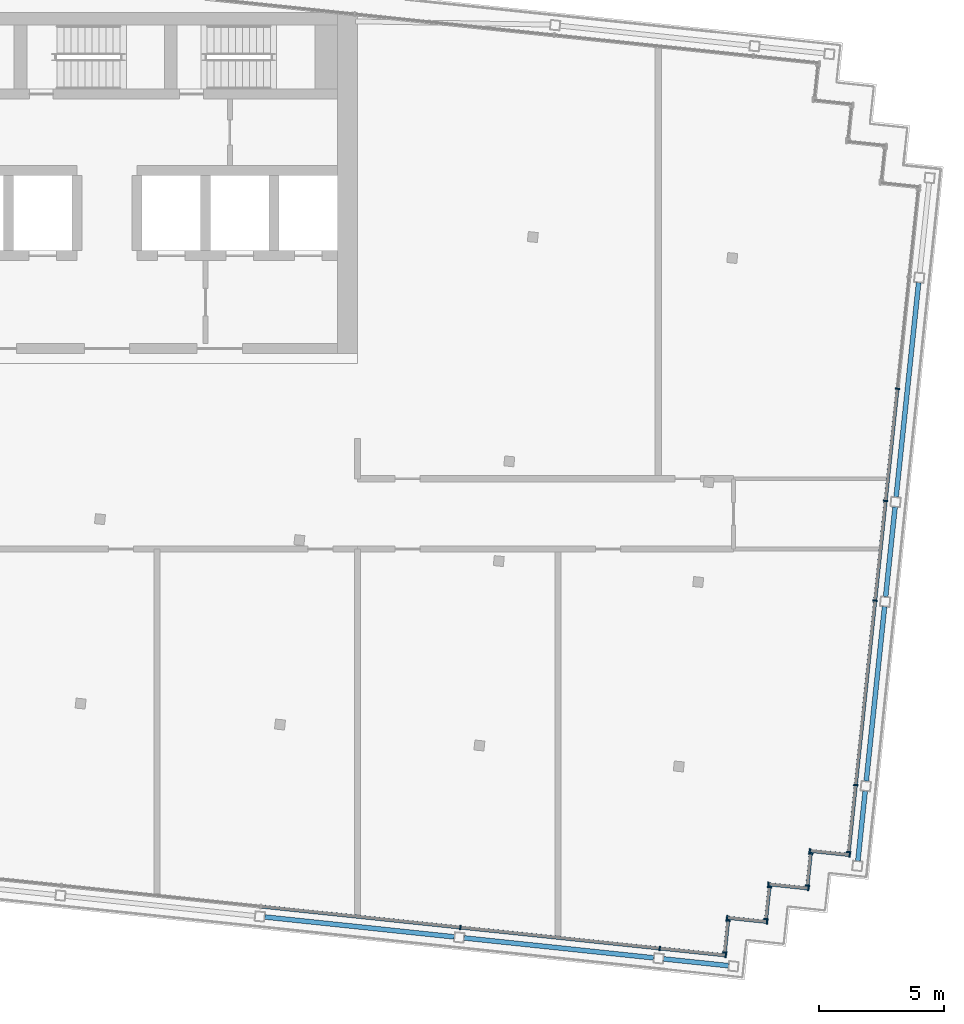
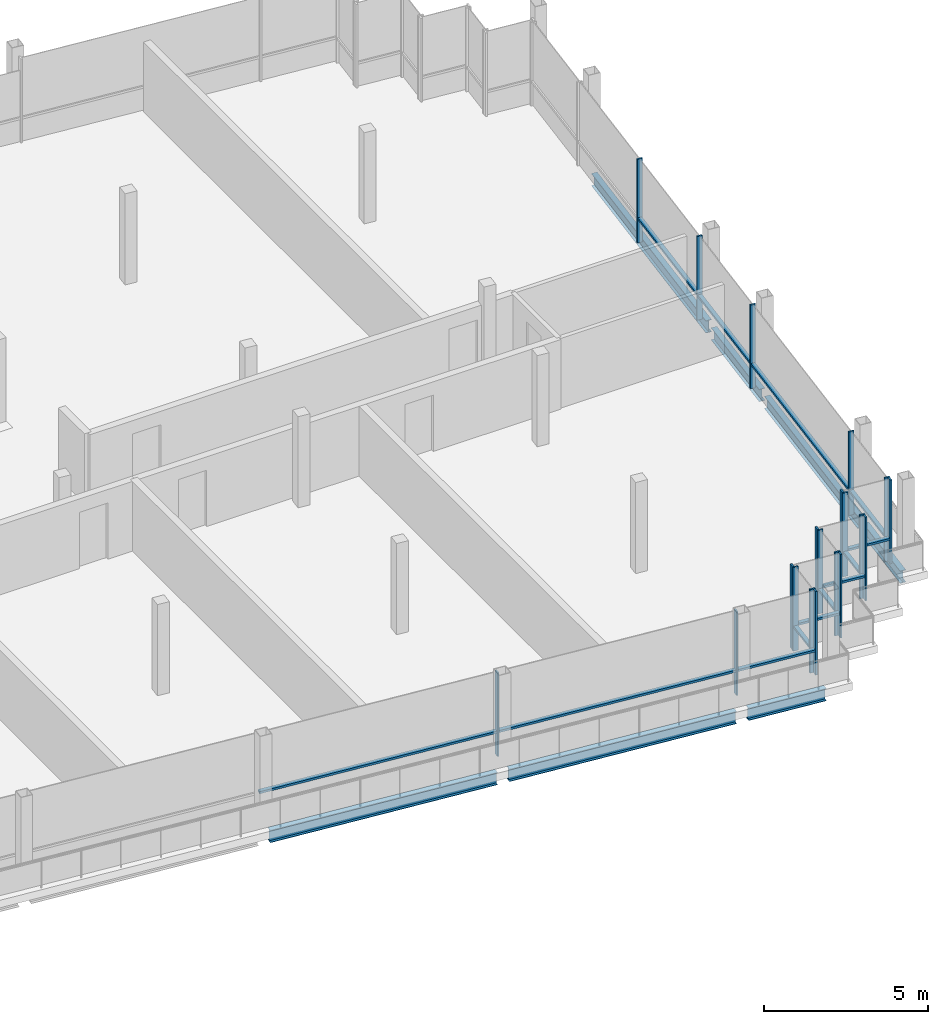
# One storey, part 5 of 15: 33 members, 7 beams, 8 elements without a shape of their own.
"""IFC4 building model written with IfcOpenShell, lengths in metres."""

from ifc_helpers import new_model, si_unit, direction, frame, origin, origin_2d, place, context, subcontext, project, spatial, rectangle, i_section, extrude, material, material_profile, profile_set, type_object, element, aggregate, save


model = new_model("IFC4")

# Units and contexts
model_context = context("Model", 3, precision=1e-05, world=origin(), true_north=direction((0.0, 1.0)))
body_context = subcontext(model_context, "Body", "Model", "MODEL_VIEW")
ifc_project = project(units=[si_unit("LENGTHUNIT", "METRE"), si_unit("AREAUNIT", "SQUARE_METRE"), si_unit("VOLUMEUNIT", "CUBIC_METRE"), si_unit("PLANEANGLEUNIT", "RADIAN"), si_unit("MASSUNIT", "GRAM", prefix="KILO")], contexts=[model_context])

# Site, building, storey
site_placement = place(None, origin())
site = spatial("IfcSite", under=ifc_project, at=site_placement, CompositionType="ELEMENT")
building_placement = place(site_placement, origin())
building = spatial("IfcBuilding", under=site, at=building_placement, Name="Vidyagriha Tower", CompositionType="ELEMENT")
storey_placement = place(building_placement, frame((0.0, 0.0, 291.5)))
storey = spatial("IfcBuildingStorey", under=building, at=storey_placement, Name="L75", CompositionType="ELEMENT", Elevation=291.5)

# Beams
ifc_material_1 = material(Name="Steel ASTM A992 Grade 50", Category="steel")
ifc_material_profile_1 = material_profile(ifc_material_1, i_section(OverallWidth=0.19189453125, OverallDepth=0.46240234375, WebThickness=0.010498046875, FlangeThickness=0.017578125, at=origin_2d()), Name="W18X60")
ifc_profile_set_1 = profile_set([ifc_material_profile_1], Name="Steel ASTM A992 Grade 50")
beam_type = type_object("IfcBeamType", Name="Edge beam W18X60", PredefinedType="SPANDREL", material=ifc_profile_set_1)
beam_1_placement = place(storey_placement, frame((6.299072265625, -16.085693359375, -0.51123046875), z_axis=(0.994521634953, -0.104530940926, 0.0), x_axis=(0.104530940926, 0.994521634953, 0.0)))
element("IfcBeam", 1, at=beam_1_placement, inside=storey, type_object=beam_type, Name="st-beam-L75-S05", PredefinedType="SPANDREL", context=body_context, shape_type="SweptSolid", body=[
    extrude(i_section(OverallWidth=0.19189453125, OverallDepth=0.46240234375, WebThickness=0.010498046875, FlangeThickness=0.017578125, at=origin_2d()), origin(), (0.0, 0.0, 1.0), 7.60009765625),
])
beam_2_placement = place(storey_placement, frame((14.255126953125, -16.922119140625, -0.51123046875), z_axis=(0.994524973995, -0.104499167945, 0.0), x_axis=(0.104499167945, 0.994524973995, 0.0)))
element("IfcBeam", 2, at=beam_2_placement, inside=storey, type_object=beam_type, Name="st-beam-L75-S06", PredefinedType="SPANDREL", context=body_context, shape_type="SweptSolid", body=[
    extrude(i_section(OverallWidth=0.19189453125, OverallDepth=0.46240234375, WebThickness=0.010498046875, FlangeThickness=0.017578125, at=origin_2d()), origin(), (0.0, 0.0, 1.0), 7.599853515625),
])
beam_3_placement = place(storey_placement, frame((22.211181640625, -17.75830078125, -0.51123046875), z_axis=(0.994524472508, -0.104503940512, 0.0), x_axis=(0.104503940512, 0.994524472508, 0.0)))
element("IfcBeam", 3, at=beam_3_placement, inside=storey, type_object=beam_type, Name="st-beam-L75-S07", PredefinedType="SPANDREL", context=body_context, shape_type="SweptSolid", body=[
    extrude(i_section(OverallWidth=0.19189453125, OverallDepth=0.46240234375, WebThickness=0.010498046875, FlangeThickness=0.017578125, at=origin_2d()), origin(), (0.0, 0.0, 1.0), 2.60009765625),
])
beam_4_placement = place(storey_placement, frame((29.962646484375, -13.846923828125, -0.51123046875), z_axis=(0.104553147, 0.994519300694, 0.0), x_axis=(-0.994519300694, 0.104553147, 0.0)))
element("IfcBeam", 4, at=beam_4_placement, inside=storey, type_object=beam_type, Name="st-beam-L75-E13", PredefinedType="SPANDREL", context=body_context, shape_type="SweptSolid", body=[
    extrude(i_section(OverallWidth=0.19189453125, OverallDepth=0.46240234375, WebThickness=0.010498046875, FlangeThickness=0.017578125, at=origin_2d()), origin(), (0.0, 0.0, 1.0), 2.7998046875),
])
beam_5_placement = place(storey_placement, frame((30.297119140625, -10.66455078125, -0.51123046875), z_axis=(0.104526832686, 0.994522066748, 0.0), x_axis=(-0.994522066748, 0.104526832686, 0.0)))
element("IfcBeam", 5, at=beam_5_placement, inside=storey, type_object=beam_type, Name="st-beam-L75-E14", PredefinedType="SPANDREL", context=body_context, shape_type="SweptSolid", body=[
    extrude(i_section(OverallWidth=0.19189453125, OverallDepth=0.46240234375, WebThickness=0.010498046875, FlangeThickness=0.017578125, at=origin_2d()), origin(), (0.0, 0.0, 1.0), 7.0),
])
beam_6_placement = place(storey_placement, frame((31.070556640625, -3.30517578125, -0.51123046875), z_axis=(0.104571819597, 0.994517337479, 0.0), x_axis=(-0.994517337479, 0.104571819597, 0.0)))
element("IfcBeam", 6, at=beam_6_placement, inside=storey, type_object=beam_type, Name="st-beam-L75-E15", PredefinedType="SPANDREL", context=body_context, shape_type="SweptSolid", body=[
    extrude(i_section(OverallWidth=0.19189453125, OverallDepth=0.46240234375, WebThickness=0.010498046875, FlangeThickness=0.017578125, at=origin_2d()), origin(), (0.0, 0.0, 1.0), 3.60009765625),
])
beam_7_placement = place(storey_placement, frame((31.48876953125, 0.673095703125, -0.51123046875), z_axis=(0.104528138401, 0.994521929513, 0.0), x_axis=(-0.994521929513, 0.104528138401, 0.0)))
element("IfcBeam", 7, at=beam_7_placement, inside=storey, type_object=beam_type, Name="st-beam-L75-E16", PredefinedType="SPANDREL", context=body_context, shape_type="SweptSolid", body=[
    extrude(i_section(OverallWidth=0.19189453125, OverallDepth=0.46240234375, WebThickness=0.010498046875, FlangeThickness=0.017578125, at=origin_2d()), origin(), (0.0, 0.0, 1.0), 8.599853515625),
])

# Curtain wall, members
ifc_material_2 = material(Name="Aluminium and glass curtain wall", Category="aluminium")
curtain_wall_type = type_object("IfcCurtainWallType", Name="Lantern glazing wall", PredefinedType="USERDEFINED", material=ifc_material_2)
curtain_wall_1_placement = place(storey_placement, origin())
curtain_wall_1 = element("IfcCurtainWall", 8, at=curtain_wall_1_placement, inside=storey, type_object=curtain_wall_type, Name="CW4 lantern glazing", ObjectType="STICK GLAZING", PredefinedType="USERDEFINED")
ifc_material_3 = material(Name="Aluminium black anodised", Category="aluminium")
ifc_material_profile_2 = material_profile(ifc_material_3, rectangle(XDim=0.179931640625, YDim=0.06005859375, at=origin_2d()), Name="Mullion 60x180 black aluminium")
ifc_profile_set_2 = profile_set([ifc_material_profile_2], Name="Aluminium black anodised")
member_type_1 = type_object("IfcMemberType", Name="Mullion 60x180 black aluminium", PredefinedType="MULLION", material=ifc_profile_set_2)
member_1_placement = place(storey_placement, frame((14.09814453125, -16.503173828125, 0.0), z_axis=(0.0, 0.0, 1.0), x_axis=(0.104528251556, 0.99452191762, 0.0)))
member_1 = element("IfcMember", 9, at=member_1_placement, type_object=member_type_1, Name="CW4 mullion 6", PredefinedType="MULLION", context=body_context, shape_type="SweptSolid", body=[
    extrude(rectangle(XDim=0.179931640625, YDim=0.06005859375, at=origin_2d()), origin(), (0.0, 0.0, 1.0), 3.1201171875),
])
member_2_placement = place(storey_placement, frame((22.05419921875, -17.33935546875, 0.0), z_axis=(0.0, 0.0, 1.0), x_axis=(0.104528251556, 0.99452191762, 0.0)))
member_2 = element("IfcMember", 10, at=member_2_placement, type_object=member_type_1, Name="CW4 mullion 7", PredefinedType="MULLION", context=body_context, shape_type="SweptSolid", body=[
    extrude(rectangle(XDim=0.179931640625, YDim=0.06005859375, at=origin_2d()), origin(), (0.0, 0.0, 1.0), 3.1201171875),
])
member_3_placement = place(storey_placement, frame((24.689697265625, -17.616455078125, 0.0), z_axis=(0.0, 0.0, 1.0), x_axis=(0.104528251556, 0.99452191762, 0.0)))
member_3 = element("IfcMember", 11, at=member_3_placement, type_object=member_type_1, Name="CW4 mullion 8", PredefinedType="MULLION", context=body_context, shape_type="SweptSolid", body=[
    extrude(rectangle(XDim=0.179931640625, YDim=0.06005859375, at=origin_2d()), origin(), (0.0, 0.0, 1.0), 3.1201171875),
])

curtain_wall_2_placement = place(storey_placement, origin())
curtain_wall_2 = element("IfcCurtainWall", 12, at=curtain_wall_2_placement, inside=storey, type_object=curtain_wall_type, Name="CW4 lantern glazing", ObjectType="STICK GLAZING", PredefinedType="USERDEFINED")
member_4_placement = place(storey_placement, frame((24.651611328125, -17.501953125, 0.0), z_axis=(0.0, 0.0, 1.0), x_axis=(-0.994518939392, 0.104556583677, 0.0)))
member_4 = element("IfcMember", 13, at=member_4_placement, type_object=member_type_1, Name="CW4 mullion 1", PredefinedType="MULLION", context=body_context, shape_type="SweptSolid", body=[
    extrude(rectangle(XDim=0.179931640625, YDim=0.06005859375, at=origin_2d()), origin(), (0.0, 0.0, 1.0), 3.1201171875),
])
member_5_placement = place(storey_placement, frame((24.785400390625, -16.22900390625, 0.0), z_axis=(0.0, 0.0, 1.0), x_axis=(-0.994518939392, 0.104556583677, 0.0)))
member_5 = element("IfcMember", 14, at=member_5_placement, type_object=member_type_1, Name="CW4 mullion 2", PredefinedType="MULLION", context=body_context, shape_type="SweptSolid", body=[
    extrude(rectangle(XDim=0.179931640625, YDim=0.06005859375, at=origin_2d()), origin(), (0.0, 0.0, 1.0), 3.1201171875),
])

curtain_wall_3_placement = place(storey_placement, origin())
curtain_wall_3 = element("IfcCurtainWall", 15, at=curtain_wall_3_placement, inside=storey, type_object=curtain_wall_type, Name="CW4 lantern glazing", ObjectType="STICK GLAZING", PredefinedType="USERDEFINED")
member_6_placement = place(storey_placement, frame((24.7470703125, -16.1142578125, 0.0), z_axis=(0.0, 0.0, 1.0), x_axis=(0.104518583201, 0.994522933756, 0.0)))
member_6 = element("IfcMember", 16, at=member_6_placement, type_object=member_type_1, Name="CW4 mullion 1", PredefinedType="MULLION", context=body_context, shape_type="SweptSolid", body=[
    extrude(rectangle(XDim=0.179931640625, YDim=0.06005859375, at=origin_2d()), origin(), (0.0, 0.0, 1.0), 3.1201171875),
])
member_7_placement = place(storey_placement, frame((26.33837890625, -16.281494140625, 0.0), z_axis=(0.0, 0.0, 1.0), x_axis=(0.104518583201, 0.994522933756, 0.0)))
member_7 = element("IfcMember", 17, at=member_7_placement, type_object=member_type_1, Name="CW4 mullion 2", PredefinedType="MULLION", context=body_context, shape_type="SweptSolid", body=[
    extrude(rectangle(XDim=0.179931640625, YDim=0.06005859375, at=origin_2d()), origin(), (0.0, 0.0, 1.0), 3.1201171875),
])

curtain_wall_4_placement = place(storey_placement, origin())
curtain_wall_4 = element("IfcCurtainWall", 18, at=curtain_wall_4_placement, inside=storey, type_object=curtain_wall_type, Name="CW4 lantern glazing", ObjectType="STICK GLAZING", PredefinedType="USERDEFINED")
member_8_placement = place(storey_placement, frame((26.300048828125, -16.1669921875, 0.0), z_axis=(0.0, 0.0, 1.0), x_axis=(-0.994519755162, 0.104548823962, 0.0)))
member_8 = element("IfcMember", 19, at=member_8_placement, type_object=member_type_1, Name="CW4 mullion 1", PredefinedType="MULLION", context=body_context, shape_type="SweptSolid", body=[
    extrude(rectangle(XDim=0.179931640625, YDim=0.06005859375, at=origin_2d()), origin(), (0.0, 0.0, 1.0), 3.1201171875),
])
member_9_placement = place(storey_placement, frame((26.43408203125, -14.89404296875, 0.0), z_axis=(0.0, 0.0, 1.0), x_axis=(-0.994519755162, 0.104548823962, 0.0)))
member_9 = element("IfcMember", 20, at=member_9_placement, type_object=member_type_1, Name="CW4 mullion 2", PredefinedType="MULLION", context=body_context, shape_type="SweptSolid", body=[
    extrude(rectangle(XDim=0.179931640625, YDim=0.06005859375, at=origin_2d()), origin(), (0.0, 0.0, 1.0), 3.1201171875),
])

curtain_wall_5_placement = place(storey_placement, origin())
curtain_wall_5 = element("IfcCurtainWall", 21, at=curtain_wall_5_placement, inside=storey, type_object=curtain_wall_type, Name="CW4 lantern glazing", ObjectType="STICK GLAZING", PredefinedType="USERDEFINED")
member_10_placement = place(storey_placement, frame((26.395751953125, -14.779296875, 0.0), z_axis=(0.0, 0.0, 1.0), x_axis=(0.104518583201, 0.994522933756, 0.0)))
member_10 = element("IfcMember", 22, at=member_10_placement, type_object=member_type_1, Name="CW4 mullion 1", PredefinedType="MULLION", context=body_context, shape_type="SweptSolid", body=[
    extrude(rectangle(XDim=0.179931640625, YDim=0.06005859375, at=origin_2d()), origin(), (0.0, 0.0, 1.0), 3.1201171875),
])
member_11_placement = place(storey_placement, frame((27.98681640625, -14.946533203125, 0.0), z_axis=(0.0, 0.0, 1.0), x_axis=(0.104518583201, 0.994522933756, 0.0)))
member_11 = element("IfcMember", 23, at=member_11_placement, type_object=member_type_1, Name="CW4 mullion 2", PredefinedType="MULLION", context=body_context, shape_type="SweptSolid", body=[
    extrude(rectangle(XDim=0.179931640625, YDim=0.06005859375, at=origin_2d()), origin(), (0.0, 0.0, 1.0), 3.1201171875),
])

curtain_wall_6_placement = place(storey_placement, origin())
curtain_wall_6 = element("IfcCurtainWall", 24, at=curtain_wall_6_placement, inside=storey, type_object=curtain_wall_type, Name="CW4 lantern glazing", ObjectType="STICK GLAZING", PredefinedType="USERDEFINED")
member_12_placement = place(storey_placement, frame((27.94873046875, -14.83203125, 0.0), z_axis=(0.0, 0.0, 1.0), x_axis=(-0.994519755162, 0.104548823962, 0.0)))
member_12 = element("IfcMember", 25, at=member_12_placement, type_object=member_type_1, Name="CW4 mullion 1", PredefinedType="MULLION", context=body_context, shape_type="SweptSolid", body=[
    extrude(rectangle(XDim=0.179931640625, YDim=0.06005859375, at=origin_2d()), origin(), (0.0, 0.0, 1.0), 3.1201171875),
])
member_13_placement = place(storey_placement, frame((28.08251953125, -13.558837890625, 0.0), z_axis=(0.0, 0.0, 1.0), x_axis=(-0.994519755162, 0.104548823962, 0.0)))
member_13 = element("IfcMember", 26, at=member_13_placement, type_object=member_type_1, Name="CW4 mullion 2", PredefinedType="MULLION", context=body_context, shape_type="SweptSolid", body=[
    extrude(rectangle(XDim=0.179931640625, YDim=0.06005859375, at=origin_2d()), origin(), (0.0, 0.0, 1.0), 3.1201171875),
])

curtain_wall_7_placement = place(storey_placement, origin())
curtain_wall_7 = element("IfcCurtainWall", 27, at=curtain_wall_7_placement, inside=storey, type_object=curtain_wall_type, Name="CW4 lantern glazing", ObjectType="STICK GLAZING", PredefinedType="USERDEFINED")
member_14_placement = place(storey_placement, frame((28.044189453125, -13.4443359375, 0.0), z_axis=(0.0, 0.0, 1.0), x_axis=(0.104512321721, 0.994523591781, 0.0)))
member_14 = element("IfcMember", 28, at=member_14_placement, type_object=member_type_1, Name="CW4 mullion 1", PredefinedType="MULLION", context=body_context, shape_type="SweptSolid", body=[
    extrude(rectangle(XDim=0.179931640625, YDim=0.06005859375, at=origin_2d()), origin(), (0.0, 0.0, 1.0), 3.1201171875),
])
member_15_placement = place(storey_placement, frame((29.635498046875, -13.611572265625, 0.0), z_axis=(0.0, 0.0, 1.0), x_axis=(0.104512321721, 0.994523591781, 0.0)))
member_15 = element("IfcMember", 29, at=member_15_placement, type_object=member_type_1, Name="CW4 mullion 2", PredefinedType="MULLION", context=body_context, shape_type="SweptSolid", body=[
    extrude(rectangle(XDim=0.179931640625, YDim=0.06005859375, at=origin_2d()), origin(), (0.0, 0.0, 1.0), 3.1201171875),
])

curtain_wall_8_placement = place(storey_placement, origin())
curtain_wall_8 = element("IfcCurtainWall", 30, at=curtain_wall_8_placement, inside=storey, type_object=curtain_wall_type, Name="CW4 lantern glazing", ObjectType="STICK GLAZING", PredefinedType="USERDEFINED")
member_16_placement = place(storey_placement, frame((29.59716796875, -13.4970703125, 0.0), z_axis=(0.0, 0.0, 1.0), x_axis=(-0.994522059728, 0.104526899479, 0.0)))
member_16 = element("IfcMember", 31, at=member_16_placement, type_object=member_type_1, Name="CW4 mullion 1", PredefinedType="MULLION", context=body_context, shape_type="SweptSolid", body=[
    extrude(rectangle(XDim=0.179931640625, YDim=0.06005859375, at=origin_2d()), origin(), (0.0, 0.0, 1.0), 3.1201171875),
])
member_17_placement = place(storey_placement, frame((29.87841796875, -10.82177734375, 0.0), z_axis=(0.0, 0.0, 1.0), x_axis=(-0.994522059728, 0.104526899479, 0.0)))
member_17 = element("IfcMember", 32, at=member_17_placement, type_object=member_type_1, Name="CW4 mullion 2", PredefinedType="MULLION", context=body_context, shape_type="SweptSolid", body=[
    extrude(rectangle(XDim=0.179931640625, YDim=0.06005859375, at=origin_2d()), origin(), (0.0, 0.0, 1.0), 3.1201171875),
])
member_18_placement = place(storey_placement, frame((30.65185546875, -3.462158203125, 0.0), z_axis=(0.0, 0.0, 1.0), x_axis=(-0.994522059728, 0.104526899479, 0.0)))
member_18 = element("IfcMember", 33, at=member_18_placement, type_object=member_type_1, Name="CW4 mullion 3", PredefinedType="MULLION", context=body_context, shape_type="SweptSolid", body=[
    extrude(rectangle(XDim=0.179931640625, YDim=0.06005859375, at=origin_2d()), origin(), (0.0, 0.0, 1.0), 3.1201171875),
])
member_19_placement = place(storey_placement, frame((31.070068359375, 0.515869140625, 0.0), z_axis=(0.0, 0.0, 1.0), x_axis=(-0.994522059728, 0.104526899479, 0.0)))
member_19 = element("IfcMember", 34, at=member_19_placement, type_object=member_type_1, Name="CW4 mullion 4", PredefinedType="MULLION", context=body_context, shape_type="SweptSolid", body=[
    extrude(rectangle(XDim=0.179931640625, YDim=0.06005859375, at=origin_2d()), origin(), (0.0, 0.0, 1.0), 3.1201171875),
])
member_20_placement = place(storey_placement, frame((31.540283203125, 4.9912109375, 0.0), z_axis=(0.0, 0.0, 1.0), x_axis=(-0.994522059728, 0.104526899479, 0.0)))
member_20 = element("IfcMember", 35, at=member_20_placement, type_object=member_type_1, Name="CW4 mullion 5", PredefinedType="MULLION", context=body_context, shape_type="SweptSolid", body=[
    extrude(rectangle(XDim=0.179931640625, YDim=0.06005859375, at=origin_2d()), origin(), (0.0, 0.0, 1.0), 3.1201171875),
])

# Member
ifc_material_4 = material(Name="Aluminium black anodised", Category="aluminium")
ifc_material_profile_3 = material_profile(ifc_material_4, rectangle(XDim=0.139892578125, YDim=0.080078125, at=origin_2d()), Name="Transom 80x140 black aluminium")
ifc_profile_set_3 = profile_set([ifc_material_profile_3], Name="Aluminium black anodised")
member_type_2 = type_object("IfcMemberType", Name="Transom 80x140 black aluminium", PredefinedType="USERDEFINED", material=ifc_profile_set_3)
member_21_placement = place(storey_placement, frame((6.171630859375, -15.670166015625, 0.89990234375), z_axis=(0.994523801804, -0.104510323151, 0.0), x_axis=(0.104510323151, 0.994523801804, 0.0)))
member_21 = element("IfcMember", 36, at=member_21_placement, type_object=member_type_2, Name="CW4 transom 5.1", ObjectType="TRANSOM", PredefinedType="USERDEFINED", context=body_context, shape_type="SweptSolid", body=[
    extrude(rectangle(XDim=0.139892578125, YDim=0.080078125, at=origin_2d()), origin(), (0.0, 0.0, 1.0), 7.940185546875),
])

member_22_placement = place(storey_placement, frame((14.1279296875, -16.50634765625, 0.89990234375), z_axis=(0.994520269484, -0.10454393137, 0.0), x_axis=(0.10454393137, 0.994520269484, 0.0)))
member_22 = element("IfcMember", 37, at=member_22_placement, type_object=member_type_2, Name="CW4 transom 6.1", ObjectType="TRANSOM", PredefinedType="USERDEFINED", context=body_context, shape_type="SweptSolid", body=[
    extrude(rectangle(XDim=0.139892578125, YDim=0.080078125, at=origin_2d()), origin(), (0.0, 0.0, 1.0), 7.93994140625),
])

member_23_placement = place(storey_placement, frame((22.084228515625, -17.342529296875, 0.89990234375), z_axis=(0.994520422208, -0.104542478505, 0.0), x_axis=(0.104542478505, 0.994520422208, 0.0)))
member_23 = element("IfcMember", 38, at=member_23_placement, type_object=member_type_2, Name="CW4 transom 7.1", ObjectType="TRANSOM", PredefinedType="USERDEFINED", context=body_context, shape_type="SweptSolid", body=[
    extrude(rectangle(XDim=0.139892578125, YDim=0.080078125, at=origin_2d()), origin(), (0.0, 0.0, 1.0), 2.58984375),
])

aggregate(curtain_wall_1, [member_1, member_2, member_3, member_21, member_22, member_23])

member_24_placement = place(storey_placement, frame((24.65478515625, -17.471923828125, 0.89990234375), z_axis=(0.104476410646, 0.994527364942, 0.0), x_axis=(-0.994527364942, 0.104476410646, 0.0)))
member_24 = element("IfcMember", 39, at=member_24_placement, type_object=member_type_2, Name="CW4 transom 1.1", ObjectType="TRANSOM", PredefinedType="USERDEFINED", context=body_context, shape_type="SweptSolid", body=[
    extrude(rectangle(XDim=0.139892578125, YDim=0.080078125, at=origin_2d()), origin(), (0.0, 0.0, 1.0), 1.2197265625),
])

aggregate(curtain_wall_2, [member_4, member_5, member_24])

member_25_placement = place(storey_placement, frame((24.77685546875, -16.117431640625, 0.89990234375), z_axis=(0.994528879637, -0.104461991023, 0.0), x_axis=(0.104461991023, 0.994528879637, 0.0)))
member_25 = element("IfcMember", 40, at=member_25_placement, type_object=member_type_2, Name="CW4 transom 1.1", ObjectType="TRANSOM", PredefinedType="USERDEFINED", context=body_context, shape_type="SweptSolid", body=[
    extrude(rectangle(XDim=0.139892578125, YDim=0.080078125, at=origin_2d()), origin(), (0.0, 0.0, 1.0), 1.540283203125),
])

aggregate(curtain_wall_3, [member_6, member_7, member_25])

member_26_placement = place(storey_placement, frame((26.30322265625, -16.13720703125, 0.89990234375), z_axis=(0.104653535604, 0.994508741784, 0.0), x_axis=(-0.994508741784, 0.104653535604, 0.0)))
member_26 = element("IfcMember", 41, at=member_26_placement, type_object=member_type_2, Name="CW4 transom 1.1", ObjectType="TRANSOM", PredefinedType="USERDEFINED", context=body_context, shape_type="SweptSolid", body=[
    extrude(rectangle(XDim=0.139892578125, YDim=0.080078125, at=origin_2d()), origin(), (0.0, 0.0, 1.0), 1.219970703125),
])

aggregate(curtain_wall_4, [member_8, member_9, member_26])

member_27_placement = place(storey_placement, frame((26.425537109375, -14.782470703125, 0.89990234375), z_axis=(0.994527149453, -0.104478461899, 0.0), x_axis=(0.104478461899, 0.994527149453, 0.0)))
member_27 = element("IfcMember", 42, at=member_27_placement, type_object=member_type_2, Name="CW4 transom 1.1", ObjectType="TRANSOM", PredefinedType="USERDEFINED", context=body_context, shape_type="SweptSolid", body=[
    extrude(rectangle(XDim=0.139892578125, YDim=0.080078125, at=origin_2d()), origin(), (0.0, 0.0, 1.0), 1.5400390625),
])

aggregate(curtain_wall_5, [member_10, member_11, member_27])

member_28_placement = place(storey_placement, frame((27.95166015625, -14.80224609375, 0.89990234375), z_axis=(0.104653535604, 0.994508741784, 0.0), x_axis=(-0.994508741784, 0.104653535604, 0.0)))
member_28 = element("IfcMember", 43, at=member_28_placement, type_object=member_type_2, Name="CW4 transom 1.1", ObjectType="TRANSOM", PredefinedType="USERDEFINED", context=body_context, shape_type="SweptSolid", body=[
    extrude(rectangle(XDim=0.139892578125, YDim=0.080078125, at=origin_2d()), origin(), (0.0, 0.0, 1.0), 1.219970703125),
])

aggregate(curtain_wall_6, [member_12, member_13, member_28])

member_29_placement = place(storey_placement, frame((28.073974609375, -13.447509765625, 0.89990234375), z_axis=(0.994528879637, -0.104461991023, 0.0), x_axis=(0.104461991023, 0.994528879637, 0.0)))
member_29 = element("IfcMember", 44, at=member_29_placement, type_object=member_type_2, Name="CW4 transom 1.1", ObjectType="TRANSOM", PredefinedType="USERDEFINED", context=body_context, shape_type="SweptSolid", body=[
    extrude(rectangle(XDim=0.139892578125, YDim=0.080078125, at=origin_2d()), origin(), (0.0, 0.0, 1.0), 1.540283203125),
])

aggregate(curtain_wall_7, [member_14, member_15, member_29])

member_30_placement = place(storey_placement, frame((29.600341796875, -13.467041015625, 0.89990234375), z_axis=(0.104530146087, 0.994521718495, 0.0), x_axis=(-0.994521718495, 0.104530146087, 0.0)))
member_30 = element("IfcMember", 45, at=member_30_placement, type_object=member_type_2, Name="CW4 transom 1.1", ObjectType="TRANSOM", PredefinedType="USERDEFINED", context=body_context, shape_type="SweptSolid", body=[
    extrude(rectangle(XDim=0.139892578125, YDim=0.080078125, at=origin_2d()), origin(), (0.0, 0.0, 1.0), 2.6298828125),
])

member_31_placement = place(storey_placement, frame((29.881591796875, -10.791748046875, 0.89990234375), z_axis=(0.104508177052, 0.994524027326, 0.0), x_axis=(-0.994524027326, 0.104508177052, 0.0)))
member_31 = element("IfcMember", 46, at=member_31_placement, type_object=member_type_2, Name="CW4 transom 2.1", ObjectType="TRANSOM", PredefinedType="USERDEFINED", context=body_context, shape_type="SweptSolid", body=[
    extrude(rectangle(XDim=0.139892578125, YDim=0.080078125, at=origin_2d()), origin(), (0.0, 0.0, 1.0), 7.340087890625),
])

member_32_placement = place(storey_placement, frame((30.655029296875, -3.432373046875, 0.89990234375), z_axis=(0.104533183829, 0.994521399206, 0.0), x_axis=(-0.994521399206, 0.104533183829, 0.0)))
member_32 = element("IfcMember", 47, at=member_32_placement, type_object=member_type_2, Name="CW4 transom 3.1", ObjectType="TRANSOM", PredefinedType="USERDEFINED", context=body_context, shape_type="SweptSolid", body=[
    extrude(rectangle(XDim=0.139892578125, YDim=0.080078125, at=origin_2d()), origin(), (0.0, 0.0, 1.0), 3.93994140625),
])

member_33_placement = place(storey_placement, frame((31.0732421875, 0.545654296875, 0.89990234375), z_axis=(0.104527359082, 0.994522011422, 0.0), x_axis=(-0.994522011422, 0.104527359082, 0.0)))
member_33 = element("IfcMember", 48, at=member_33_placement, type_object=member_type_2, Name="CW4 transom 4.1", ObjectType="TRANSOM", PredefinedType="USERDEFINED", context=body_context, shape_type="SweptSolid", body=[
    extrude(rectangle(XDim=0.139892578125, YDim=0.080078125, at=origin_2d()), origin(), (0.0, 0.0, 1.0), 4.440185546875),
])

aggregate(curtain_wall_8, [member_16, member_17, member_18, member_19, member_20, member_30, member_31, member_32, member_33])

save(model, "model.ifc")
